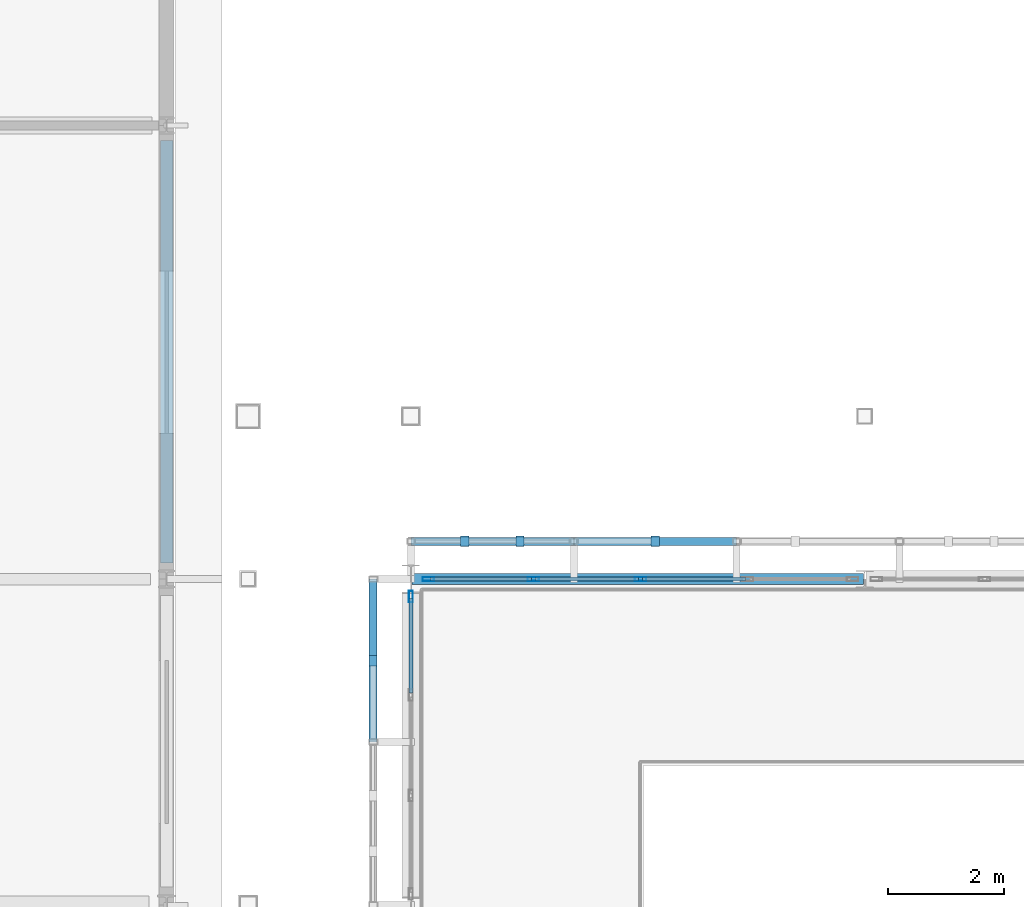
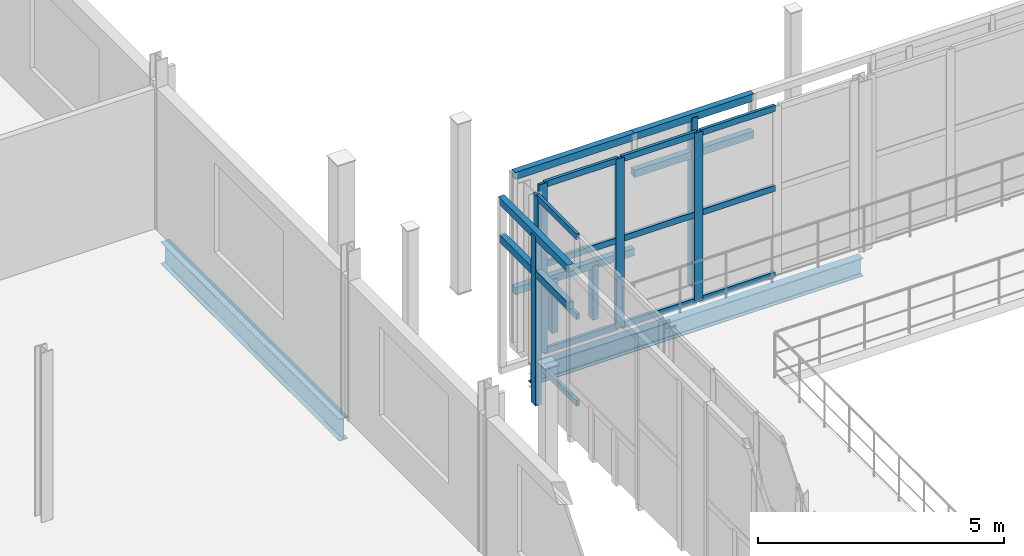
# One storey, part 40 of 138: 26 members, 2 beams, 2 elements without a shape of their own.
"""IFC4 building model written with IfcOpenShell, lengths in metres."""

from ifc_helpers import new_model, si_unit, direction, frame, origin, origin_2d, place, context, subcontext, project, spatial, rectangle, hollow_rectangle, i_section, extrude, material, layer, layer_set, material_profile, profile_set, type_object, element, aggregate, save


model = new_model("IFC4")

# Units and contexts
model_context = context("Model", 3, precision=1e-05, world=origin(), true_north=direction((0.0, 1.0)))
body_context = subcontext(model_context, "Body", "Model", "MODEL_VIEW")
ifc_project = project(units=[si_unit("LENGTHUNIT", "METRE"), si_unit("AREAUNIT", "SQUARE_METRE"), si_unit("VOLUMEUNIT", "CUBIC_METRE"), si_unit("PLANEANGLEUNIT", "RADIAN"), si_unit("MASSUNIT", "GRAM", prefix="KILO")], contexts=[model_context])

# Site, building, storey
site_placement = place(None, origin())
site = spatial("IfcSite", under=ifc_project, at=site_placement, CompositionType="ELEMENT")
building_placement = place(site_placement, origin())
building = spatial("IfcBuilding", under=site, at=building_placement, Name="Vinh Khe Railworks Police Headquarters", CompositionType="ELEMENT")
storey_placement = place(building_placement, frame((0.0, 0.0, 9.0)))
storey = spatial("IfcBuildingStorey", under=building, at=storey_placement, Name="L02", CompositionType="ELEMENT", Elevation=9.0)

# Members
ifc_material_1 = material(Name="Salvaged ironwood timber", Category="wood")
ifc_material_profile_1 = material_profile(ifc_material_1, rectangle(XDim=0.139892578125, YDim=0.179931640625, at=origin_2d()), Name="TIMBER 140x180")
ifc_profile_set_1 = profile_set([ifc_material_profile_1], Name="Salvaged ironwood timber")
member_type_1 = type_object("IfcMemberType", Name="MEM-QUILT-STILE", PredefinedType="CHORD", material=ifc_profile_set_1)
for number, where, z_axis, x_axis, name in (
    (1, (26.39990234375, 59.449951171875, 4.1201171875), (1.0, 0.0, 0.0), (0.0, 1.0, 0.0), "Salvaged Timber Quilt Transom N-L02-00-TOP"),
    (2, (26.39990234375, 59.449951171875, 1.260009765625), (1.0, 0.0, 0.0), (0.0, 1.0, 0.0), "Salvaged Timber Quilt Transom N-L02-00-M1"),
):
    element("IfcMember", number, at=place(storey_placement, frame(where, z_axis=z_axis, x_axis=x_axis)), inside=storey, type_object=member_type_1, Name=name, PredefinedType="CHORD", context=body_context, shape_type="SweptSolid", body=[
        extrude(rectangle(XDim=0.139892578125, YDim=0.179931640625, at=origin_2d()), origin(), (0.0, 0.0, 1.0), 2.800048828125),
    ])
for number, where, z_axis, x_axis, name in (
    (3, (27.323974609375, 59.449951171875, -0.080078125), (0.0, 0.0, 1.0), (1.0, 0.0, 0.0), "Salvaged Timber Quilt Stile N-L02-00-V1"),
    (4, (28.27587890625, 59.449951171875, -0.080078125), (0.0, 0.0, 1.0), (1.0, 0.0, 0.0), "Salvaged Timber Quilt Stile N-L02-00-V2"),
):
    element("IfcMember", number, at=place(storey_placement, frame(where, z_axis=z_axis, x_axis=x_axis)), inside=storey, type_object=member_type_1, Name=name, PredefinedType="POST", context=body_context, shape_type="SweptSolid", body=[
        extrude(rectangle(XDim=0.139892578125, YDim=0.179931640625, at=origin_2d()), origin(), (0.0, 0.0, 1.0), 1.340087890625),
    ])
for number, where, z_axis, x_axis, name in (
    (5, (29.199951171875, 59.449951171875, 4.1201171875), (1.0, 0.0, 0.0), (0.0, 1.0, 0.0), "Salvaged Timber Quilt Transom N-L02-01-TOP"),
    (6, (29.199951171875, 59.449951171875, 3.19189453125), (1.0, 0.0, 0.0), (0.0, 1.0, 0.0), "Salvaged Timber Quilt Transom N-L02-01-M1"),
):
    element("IfcMember", number, at=place(storey_placement, frame(where, z_axis=z_axis, x_axis=x_axis)), inside=storey, type_object=member_type_1, Name=name, PredefinedType="CHORD", context=body_context, shape_type="SweptSolid", body=[
        extrude(rectangle(XDim=0.139892578125, YDim=0.179931640625, at=origin_2d()), origin(), (0.0, 0.0, 1.0), 2.800048828125),
    ])
member_1_placement = place(storey_placement, frame((30.60009765625, 59.449951171875, -0.080078125), z_axis=(0.0, 0.0, 1.0), x_axis=(1.0, 0.0, 0.0)))
element("IfcMember", 7, at=member_1_placement, inside=storey, type_object=member_type_1, Name="Salvaged Timber Quilt Stile N-L02-01-V1", PredefinedType="POST", context=body_context, shape_type="SweptSolid", body=[
    extrude(rectangle(XDim=0.139892578125, YDim=0.179931640625, at=origin_2d()), origin(), (0.0, 0.0, 1.0), 4.2001953125),
])
for number, where, z_axis, x_axis, name in (
    (8, (25.75, 56.0, 4.1201171875), (0.0, 1.0, 0.0), (-1.0, 0.0, 0.0), "Salvaged Timber Quilt Transom W-L02-11-TOP"),
    (9, (25.75, 56.0, 3.19189453125), (0.0, 1.0, 0.0), (-1.0, 0.0, 0.0), "Salvaged Timber Quilt Transom W-L02-11-M1"),
):
    element("IfcMember", number, at=place(storey_placement, frame(where, z_axis=z_axis, x_axis=x_axis)), inside=storey, type_object=member_type_1, Name=name, PredefinedType="CHORD", context=body_context, shape_type="SweptSolid", body=[
        extrude(rectangle(XDim=0.139892578125, YDim=0.179931640625, at=origin_2d()), origin(), (0.0, 0.0, 1.0), 2.800048828125),
    ])
member_2_placement = place(storey_placement, frame((25.75, 57.39990234375, -0.080078125), z_axis=(0.0, 0.0, 1.0), x_axis=(1.0, 0.0, 0.0)))
element("IfcMember", 10, at=member_2_placement, inside=storey, type_object=member_type_1, Name="Salvaged Timber Quilt Stile W-L02-11-V1", PredefinedType="POST", context=body_context, shape_type="SweptSolid", body=[
    extrude(rectangle(XDim=0.139892578125, YDim=0.179931640625, at=origin_2d()), origin(), (0.0, 0.0, 1.0), 4.2001953125),
])

# Curtain wall, members
ifc_material_2 = material(Name="Anodised aluminium and low-iron glass", Category="aluminium")
ifc_layer = layer(ifc_material_2, 0.179931640625)
ifc_layer_set = layer_set([ifc_layer], Name="Anodised aluminium and low-iron glass")
curtain_wall_type = type_object("IfcCurtainWallType", Name="CW-CUBE-UNIT", PredefinedType="USERDEFINED", material=ifc_layer_set)
curtain_wall_1_placement = place(storey_placement, origin())
curtain_wall_1 = element("IfcCurtainWall", 11, at=curtain_wall_1_placement, inside=storey, type_object=curtain_wall_type, Name="Entrance Hall Curtain Wall L02 N-1", ObjectType="UNITISED GLAZING", PredefinedType="USERDEFINED")
ifc_material_3 = material(Name="Anodised aluminium 6063-T6", Category="aluminium")
ifc_material_profile_2 = material_profile(ifc_material_3, hollow_rectangle(XDim=0.070068359375, YDim=0.199951171875, WallThickness=0.0048828125, at=origin_2d()), Name="CW-M 70x200x5")
ifc_profile_set_2 = profile_set([ifc_material_profile_2], Name="Anodised aluminium 6063-T6")
member_type_2 = type_object("IfcMemberType", Name="MULL-CWM-03", PredefinedType="MULLION", material=ifc_profile_set_2)
member_3_placement = place(storey_placement, frame((26.699951171875, 58.800048828125, 0.0), z_axis=(0.0, 0.0, 1.0), x_axis=(0.0, 1.0, 0.0)))
member_3 = element("IfcMember", 12, at=member_3_placement, type_object=member_type_2, Name="CW-01 mullion 1", PredefinedType="MULLION", context=body_context, shape_type="SweptSolid", body=[
    extrude(hollow_rectangle(XDim=0.070068359375, YDim=0.199951171875, WallThickness=0.0048828125, at=origin_2d()), origin(), (0.0, 0.0, 1.0), 4.199951171875),
])
member_4_placement = place(storey_placement, frame((28.50634765625, 58.800048828125, 0.0), z_axis=(0.0, 0.0, 1.0), x_axis=(0.0, 1.0, 0.0)))
member_4 = element("IfcMember", 13, at=member_4_placement, type_object=member_type_2, Name="CW-01 mullion 2", PredefinedType="MULLION", context=body_context, shape_type="SweptSolid", body=[
    extrude(hollow_rectangle(XDim=0.070068359375, YDim=0.199951171875, WallThickness=0.0048828125, at=origin_2d()), origin(), (0.0, 0.0, 1.0), 4.199951171875),
])
member_5_placement = place(storey_placement, frame((30.347412109375, 58.800048828125, 0.0), z_axis=(0.0, 0.0, 1.0), x_axis=(0.0, 1.0, 0.0)))
member_5 = element("IfcMember", 14, at=member_5_placement, type_object=member_type_2, Name="CW-01 mullion 3", PredefinedType="MULLION", context=body_context, shape_type="SweptSolid", body=[
    extrude(hollow_rectangle(XDim=0.070068359375, YDim=0.199951171875, WallThickness=0.0048828125, at=origin_2d()), origin(), (0.0, 0.0, 1.0), 4.199951171875),
])

# Curtain wall, member
curtain_wall_2_placement = place(storey_placement, origin())
curtain_wall_2 = element("IfcCurtainWall", 15, at=curtain_wall_2_placement, inside=storey, type_object=curtain_wall_type, Name="Entrance Hall Curtain Wall L02 W-6", ObjectType="UNITISED GLAZING", PredefinedType="USERDEFINED")
member_6_placement = place(storey_placement, frame((26.39990234375, 58.5, 0.0), z_axis=(0.0, 0.0, 1.0), x_axis=(-1.0, 0.0, 0.0)))
member_6 = element("IfcMember", 16, at=member_6_placement, type_object=member_type_2, Name="CW-01 mullion 4", PredefinedType="MULLION", context=body_context, shape_type="SweptSolid", body=[
    extrude(hollow_rectangle(XDim=0.070068359375, YDim=0.199951171875, WallThickness=0.0048828125, at=origin_2d()), origin(), (0.0, 0.0, 1.0), 4.199951171875),
])

# Beams
ifc_material_4 = material(Name="Steel S355JR", Category="steel")
ifc_material_profile_3 = material_profile(ifc_material_4, i_section(OverallWidth=0.18994140625, OverallDepth=0.449951171875, WebThickness=0.009521484375, FlangeThickness=0.0146484375, FilletRadius=0.02099609375, at=origin_2d()), Name="IPE 450")
ifc_profile_set_3 = profile_set([ifc_material_profile_3], Name="Steel S355JR")
beam_type_1 = type_object("IfcBeamType", Name="Steel Girder IPE 450", PredefinedType="BEAM", material=ifc_profile_set_3)
beam_1_placement = place(storey_placement, frame((26.419921875, 58.800048828125, -0.445068359375), z_axis=(1.0, 0.0, 0.0), x_axis=(0.0, 1.0, 0.0)))
element("IfcBeam", 17, at=beam_1_placement, inside=storey, type_object=beam_type_1, Name="Girder BM-L02-EW-SB-20-0786", PredefinedType="BEAM", context=body_context, shape_type="SweptSolid", body=[
    extrude(i_section(OverallWidth=0.18994140625, OverallDepth=0.449951171875, WebThickness=0.009521484375, FlangeThickness=0.0146484375, FilletRadius=0.02099609375, at=origin_2d()), origin(), (0.0, 0.0, 1.0), 7.760009765625),
])
ifc_material_profile_4 = material_profile(ifc_material_4, i_section(OverallWidth=0.2099609375, OverallDepth=0.550048828125, WebThickness=0.010986328125, FlangeThickness=0.01708984375, FilletRadius=0.02392578125, at=origin_2d()), Name="IPE 550")
ifc_profile_set_4 = profile_set([ifc_material_profile_4], Name="Steel S355JR")
beam_type_2 = type_object("IfcBeamType", Name="Steel Girder IPE 550", PredefinedType="BEAM", material=ifc_profile_set_4)
beam_2_placement = place(storey_placement, frame((22.199951171875, 59.080078125, -0.4951171875), z_axis=(0.0, 1.0, 0.0), x_axis=(-1.0, 0.0, 0.0)))
element("IfcBeam", 18, at=beam_2_placement, inside=storey, type_object=beam_type_2, Name="Girder BM-L02-NS-SB-18-0934", PredefinedType="BEAM", context=body_context, shape_type="SweptSolid", body=[
    extrude(i_section(OverallWidth=0.2099609375, OverallDepth=0.550048828125, WebThickness=0.010986328125, FlangeThickness=0.01708984375, FilletRadius=0.02392578125, at=origin_2d()), origin(), (0.0, 0.0, 1.0), 7.264892578125),
])

# Member
ifc_material_profile_5 = material_profile(ifc_material_3, hollow_rectangle(XDim=0.070068359375, YDim=0.14990234375, WallThickness=0.0048828125, at=origin_2d()), Name="CW-T 70x150x5")
ifc_profile_set_5 = profile_set([ifc_material_profile_5], Name="Anodised aluminium 6063-T6")
member_type_3 = type_object("IfcMemberType", Name="TRAN-CWT-03", PredefinedType="USERDEFINED", material=ifc_profile_set_5)
member_7_placement = place(storey_placement, frame((26.735107421875, 58.800048828125, 0.034912109375), z_axis=(1.0, 0.0, 0.0), x_axis=(0.0, 1.0, 0.0)))
member_7 = element("IfcMember", 19, at=member_7_placement, type_object=member_type_3, Name="CW-01 transom 1.1", ObjectType="TRANSOM", PredefinedType="USERDEFINED", context=body_context, shape_type="SweptSolid", body=[
    extrude(hollow_rectangle(XDim=0.070068359375, YDim=0.14990234375, WallThickness=0.0048828125, at=origin_2d()), origin(), (0.0, 0.0, 1.0), 1.736083984375),
])

member_8_placement = place(storey_placement, frame((26.735107421875, 58.800048828125, 2.18408203125), z_axis=(1.0, 0.0, 0.0), x_axis=(0.0, 1.0, 0.0)))
member_8 = element("IfcMember", 20, at=member_8_placement, type_object=member_type_3, Name="CW-01 transom 1.2", ObjectType="TRANSOM", PredefinedType="USERDEFINED", context=body_context, shape_type="SweptSolid", body=[
    extrude(hollow_rectangle(XDim=0.070068359375, YDim=0.14990234375, WallThickness=0.0048828125, at=origin_2d()), origin(), (0.0, 0.0, 1.0), 1.736083984375),
])

member_9_placement = place(storey_placement, frame((26.735107421875, 58.800048828125, 4.1650390625), z_axis=(1.0, 0.0, 0.0), x_axis=(0.0, 1.0, 0.0)))
member_9 = element("IfcMember", 21, at=member_9_placement, type_object=member_type_3, Name="CW-01 transom 1.3", ObjectType="TRANSOM", PredefinedType="USERDEFINED", context=body_context, shape_type="SweptSolid", body=[
    extrude(hollow_rectangle(XDim=0.070068359375, YDim=0.14990234375, WallThickness=0.0048828125, at=origin_2d()), origin(), (0.0, 0.0, 1.0), 1.736083984375),
])

member_10_placement = place(storey_placement, frame((28.541259765625, 58.800048828125, 0.034912109375), z_axis=(1.0, 0.0, 0.0), x_axis=(0.0, 1.0, 0.0)))
member_10 = element("IfcMember", 22, at=member_10_placement, type_object=member_type_3, Name="CW-01 transom 2.1", ObjectType="TRANSOM", PredefinedType="USERDEFINED", context=body_context, shape_type="SweptSolid", body=[
    extrude(hollow_rectangle(XDim=0.070068359375, YDim=0.14990234375, WallThickness=0.0048828125, at=origin_2d()), origin(), (0.0, 0.0, 1.0), 1.771240234375),
])

member_11_placement = place(storey_placement, frame((28.541259765625, 58.800048828125, 2.18408203125), z_axis=(1.0, 0.0, 0.0), x_axis=(0.0, 1.0, 0.0)))
member_11 = element("IfcMember", 23, at=member_11_placement, type_object=member_type_3, Name="CW-01 transom 2.2", ObjectType="TRANSOM", PredefinedType="USERDEFINED", context=body_context, shape_type="SweptSolid", body=[
    extrude(hollow_rectangle(XDim=0.070068359375, YDim=0.14990234375, WallThickness=0.0048828125, at=origin_2d()), origin(), (0.0, 0.0, 1.0), 1.771240234375),
])

member_12_placement = place(storey_placement, frame((28.541259765625, 58.800048828125, 4.1650390625), z_axis=(1.0, 0.0, 0.0), x_axis=(0.0, 1.0, 0.0)))
member_12 = element("IfcMember", 24, at=member_12_placement, type_object=member_type_3, Name="CW-01 transom 2.3", ObjectType="TRANSOM", PredefinedType="USERDEFINED", context=body_context, shape_type="SweptSolid", body=[
    extrude(hollow_rectangle(XDim=0.070068359375, YDim=0.14990234375, WallThickness=0.0048828125, at=origin_2d()), origin(), (0.0, 0.0, 1.0), 1.771240234375),
])

member_13_placement = place(storey_placement, frame((30.382568359375, 58.800048828125, 0.034912109375), z_axis=(1.0, 0.0, 0.0), x_axis=(0.0, 1.0, 0.0)))
member_13 = element("IfcMember", 25, at=member_13_placement, type_object=member_type_3, Name="CW-01 transom 3.1", ObjectType="TRANSOM", PredefinedType="USERDEFINED", context=body_context, shape_type="SweptSolid", body=[
    extrude(hollow_rectangle(XDim=0.070068359375, YDim=0.14990234375, WallThickness=0.0048828125, at=origin_2d()), origin(), (0.0, 0.0, 1.0), 1.771240234375),
])

member_14_placement = place(storey_placement, frame((30.382568359375, 58.800048828125, 2.18408203125), z_axis=(1.0, 0.0, 0.0), x_axis=(0.0, 1.0, 0.0)))
member_14 = element("IfcMember", 26, at=member_14_placement, type_object=member_type_3, Name="CW-01 transom 3.2", ObjectType="TRANSOM", PredefinedType="USERDEFINED", context=body_context, shape_type="SweptSolid", body=[
    extrude(hollow_rectangle(XDim=0.070068359375, YDim=0.14990234375, WallThickness=0.0048828125, at=origin_2d()), origin(), (0.0, 0.0, 1.0), 1.771240234375),
])

member_15_placement = place(storey_placement, frame((30.382568359375, 58.800048828125, 4.1650390625), z_axis=(1.0, 0.0, 0.0), x_axis=(0.0, 1.0, 0.0)))
member_15 = element("IfcMember", 27, at=member_15_placement, type_object=member_type_3, Name="CW-01 transom 3.3", ObjectType="TRANSOM", PredefinedType="USERDEFINED", context=body_context, shape_type="SweptSolid", body=[
    extrude(hollow_rectangle(XDim=0.070068359375, YDim=0.14990234375, WallThickness=0.0048828125, at=origin_2d()), origin(), (0.0, 0.0, 1.0), 1.771240234375),
])

aggregate(curtain_wall_1, [member_3, member_4, member_5, member_7, member_8, member_9, member_10, member_11, member_12, member_13, member_14, member_15])

member_16_placement = place(storey_placement, frame((26.39990234375, 56.841552734375, 0.034912109375), z_axis=(0.0, 1.0, 0.0), x_axis=(-1.0, 0.0, 0.0)))
member_16 = element("IfcMember", 28, at=member_16_placement, type_object=member_type_3, Name="CW-01 transom 3.1", ObjectType="TRANSOM", PredefinedType="USERDEFINED", context=body_context, shape_type="SweptSolid", body=[
    extrude(hollow_rectangle(XDim=0.070068359375, YDim=0.14990234375, WallThickness=0.0048828125, at=origin_2d()), origin(), (0.0, 0.0, 1.0), 1.62353515625),
])

member_17_placement = place(storey_placement, frame((26.39990234375, 56.841552734375, 2.18408203125), z_axis=(0.0, 1.0, 0.0), x_axis=(-1.0, 0.0, 0.0)))
member_17 = element("IfcMember", 29, at=member_17_placement, type_object=member_type_3, Name="CW-01 transom 3.2", ObjectType="TRANSOM", PredefinedType="USERDEFINED", context=body_context, shape_type="SweptSolid", body=[
    extrude(hollow_rectangle(XDim=0.070068359375, YDim=0.14990234375, WallThickness=0.0048828125, at=origin_2d()), origin(), (0.0, 0.0, 1.0), 1.62353515625),
])

member_18_placement = place(storey_placement, frame((26.39990234375, 56.841552734375, 4.1650390625), z_axis=(0.0, 1.0, 0.0), x_axis=(-1.0, 0.0, 0.0)))
member_18 = element("IfcMember", 30, at=member_18_placement, type_object=member_type_3, Name="CW-01 transom 3.3", ObjectType="TRANSOM", PredefinedType="USERDEFINED", context=body_context, shape_type="SweptSolid", body=[
    extrude(hollow_rectangle(XDim=0.070068359375, YDim=0.14990234375, WallThickness=0.0048828125, at=origin_2d()), origin(), (0.0, 0.0, 1.0), 1.62353515625),
])

aggregate(curtain_wall_2, [member_6, member_16, member_17, member_18])

save(model, "model.ifc")
